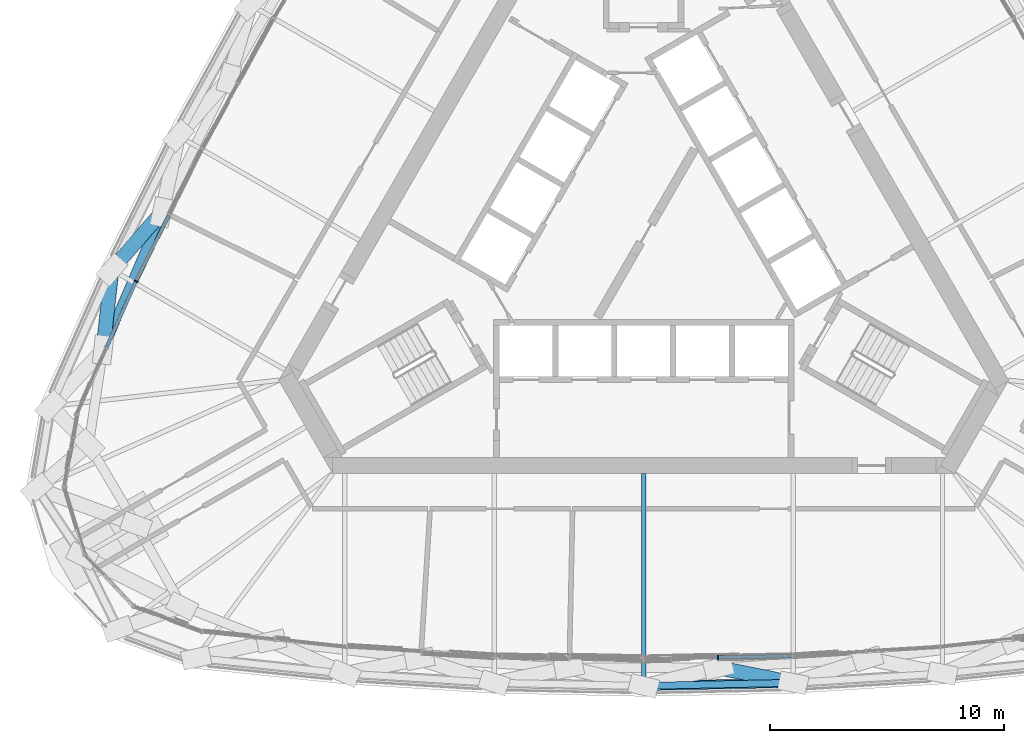
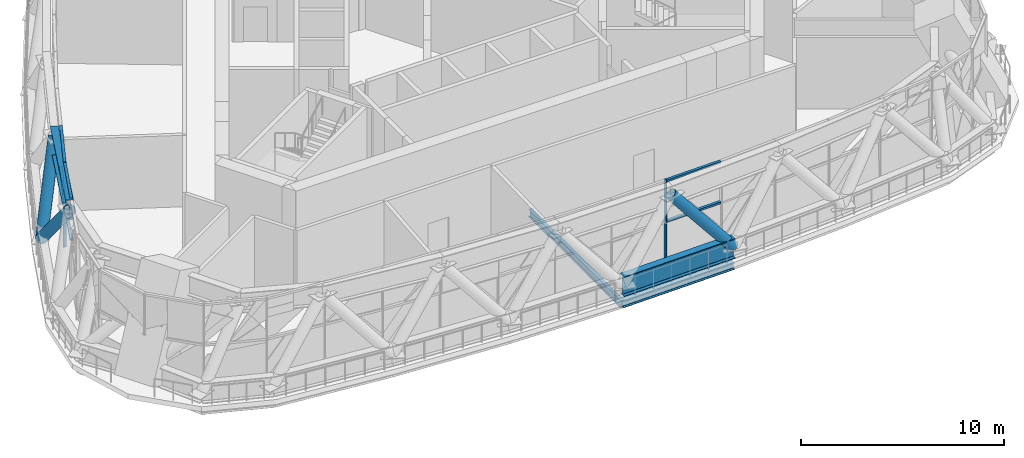
# One storey, part 3 of 33: 13 members, 2 beams, 2 elements without a shape of their own.
"""IFC4 building model written with IfcOpenShell, lengths in metres."""

from ifc_helpers import new_model, si_unit, direction, frame, origin, origin_2d, place, context, subcontext, project, spatial, rectangle, hollow_circle, i_section, extrude, material, material_profile, profile_set, type_object, element, aggregate, save


model = new_model("IFC4")

# Units and contexts
model_context = context("Model", 3, precision=1e-05, world=origin(), true_north=direction((0.0, 1.0)))
body_context = subcontext(model_context, "Body", "Model", "MODEL_VIEW")
ifc_project = project(units=[si_unit("LENGTHUNIT", "METRE"), si_unit("AREAUNIT", "SQUARE_METRE"), si_unit("VOLUMEUNIT", "CUBIC_METRE"), si_unit("PLANEANGLEUNIT", "RADIAN"), si_unit("MASSUNIT", "GRAM", prefix="KILO")], contexts=[model_context])

# Site, building, storey
site_placement = place(None, origin())
site = spatial("IfcSite", under=ifc_project, at=site_placement, CompositionType="ELEMENT")
building_placement = place(site_placement, origin())
building = spatial("IfcBuilding", under=site, at=building_placement, Name="Mestral Congress Tower", CompositionType="ELEMENT")
storey_placement = place(building_placement, frame((0.0, 0.0, 256.199951171875)))
storey = spatial("IfcBuildingStorey", under=building, at=storey_placement, Name="L60", CompositionType="ELEMENT", Elevation=256.199951171875)

# Members
ifc_material_1 = material(Name="Steel S355", Category="steel")
ifc_material_profile_1 = material_profile(ifc_material_1, i_section(OverallWidth=0.39990234375, OverallDepth=1.199951171875, WebThickness=0.02001953125, FlangeThickness=0.0400390625, FilletRadius=0.010009765625, at=origin_2d()), Name="WPG 1200")
ifc_profile_set_1 = profile_set([ifc_material_profile_1], Name="Steel S355")
member_type_1 = type_object("IfcMemberType", Name="Belt chord WPG 1200 S355", PredefinedType="CHORD", material=ifc_profile_set_1)
member_1_placement = place(storey_placement, frame((0.0, -19.4306640625, 0.60009765625), z_axis=(0.999784626203, 0.020753342109, 0.0), x_axis=(-0.020753342109, 0.999784626203, 0.0)))
element("IfcMember", 1, at=member_1_placement, inside=storey, type_object=member_type_1, Name="MB-L60-BC4-S03", PredefinedType="CHORD", context=body_context, shape_type="SweptSolid", body=[
    extrude(i_section(OverallWidth=0.39990234375, OverallDepth=1.199951171875, WebThickness=0.02001953125, FlangeThickness=0.0400390625, FilletRadius=0.010009765625, at=origin_2d()), origin(), (0.0, 0.0, 1.0), 6.399658203125),
])
member_2_placement = place(storey_placement, frame((-20.618896484375, 0.833984375, 4.5), z_axis=(-0.393362054292, -0.919383649106, 0.0), x_axis=(0.919383649106, -0.393362054292, 0.0)))
element("IfcMember", 2, at=member_2_placement, inside=storey, type_object=member_type_1, Name="MB-L60-TC4-W04", PredefinedType="CHORD", context=body_context, shape_type="SweptSolid", body=[
    extrude(i_section(OverallWidth=0.39990234375, OverallDepth=1.199951171875, WebThickness=0.02001953125, FlangeThickness=0.0400390625, FilletRadius=0.010009765625, at=origin_2d()), origin(), (0.0, 0.0, 1.0), 6.39892578125),
])
ifc_material_profile_2 = material_profile(ifc_material_1, hollow_circle(Radius=0.304931640625, WallThickness=0.02490234375, at=origin_2d()), Name="CHS 610x25")
ifc_profile_set_2 = profile_set([ifc_material_profile_2], Name="Steel S355")
member_type_2 = type_object("IfcMemberType", Name="Belt diagonal CHS 610x25 S355", PredefinedType="BRACE", material=ifc_profile_set_2)
member_3_placement = place(storey_placement, frame((6.398193359375, -19.2978515625, 0.60009765625), z_axis=(-0.629091176494, 0.1263752081, 0.766989959801), x_axis=(-0.196950698516, -0.980413393602, 0.0)))
element("IfcMember", 3, at=member_3_placement, inside=storey, type_object=member_type_2, Name="MD-L60-BD4-S04.S03", PredefinedType="BRACE", context=body_context, shape_type="SweptSolid", body=[
    extrude(hollow_circle(Radius=0.304931640625, WallThickness=0.02490234375, at=origin_2d()), origin(), (0.0, 0.0, 1.0), 5.084716796875),
])
member_4_placement = place(storey_placement, frame((-22.76025390625, -1.62255859375, 0.60009765625), z_axis=(0.421340530526, 0.483357475562, 0.767357614254), x_axis=(-0.753809837141, 0.657092633827, 0.0)))
element("IfcMember", 4, at=member_4_placement, inside=storey, type_object=member_type_2, Name="MD-L60-BD4-W05.W04", PredefinedType="BRACE", context=body_context, shape_type="SweptSolid", body=[
    extrude(hollow_circle(Radius=0.304931640625, WallThickness=0.02490234375, at=origin_2d()), origin(), (0.0, 0.0, 1.0), 5.082275390625),
])
member_5_placement = place(storey_placement, frame((-22.76025390625, -1.62255859375, 0.60009765625), z_axis=(-0.072187645133, -0.658319427837, 0.749269293927), x_axis=(0.994041631875, -0.109001073848, 0.0)))
element("IfcMember", 5, at=member_5_placement, inside=storey, type_object=member_type_2, Name="MD-L60-BD4-W05.W05", PredefinedType="BRACE", context=body_context, shape_type="SweptSolid", body=[
    extrude(hollow_circle(Radius=0.304931640625, WallThickness=0.02490234375, at=origin_2d()), origin(), (0.0, 0.0, 1.0), 5.204833984375),
])

# Curtain wall, member
ifc_material_2 = material(Name="Clear low-emissivity double glazing", Category="glass")
curtain_wall_type = type_object("IfcCurtainWallType", Name="Facade refuge band screen", PredefinedType="USERDEFINED", material=ifc_material_2)
placement = place(storey_placement, origin())
curtain_wall_1 = element("IfcCurtainWall", 6, at=placement, inside=storey, type_object=curtain_wall_type, Name="Facade refuge band screen face 1", ObjectType="CURTAIN WALL", PredefinedType="USERDEFINED")
ifc_material_3 = material(Name="Anodised aluminium", Category="aluminium")
ifc_material_profile_3 = material_profile(ifc_material_3, rectangle(XDim=0.179931640625, YDim=0.06005859375, at=origin_2d()), Name="CW3 mullion 180 x 60")
ifc_profile_set_3 = profile_set([ifc_material_profile_3], Name="Anodised aluminium")
member_type_3 = type_object("IfcMemberType", Name="Facade refuge band screen mullion", PredefinedType="MULLION", material=ifc_profile_set_3)
member_6_placement = place(storey_placement, frame((3.17529296875, -18.214599609375, 0.0), z_axis=(0.0, 0.0, 1.0), x_axis=(0.020750475387, -0.999784685705, 0.0)))
member_6 = element("IfcMember", 7, at=member_6_placement, type_object=member_type_3, Name="Facade refuge band screen mullion", PredefinedType="MULLION", context=body_context, shape_type="SweptSolid", body=[
    extrude(rectangle(XDim=0.179931640625, YDim=0.06005859375, at=origin_2d()), origin(), (0.0, 0.0, 1.0), 5.10009765625),
])

curtain_wall_2 = element("IfcCurtainWall", 8, at=placement, inside=storey, type_object=curtain_wall_type, Name="Facade refuge band screen face 3", ObjectType="CURTAIN WALL", PredefinedType="USERDEFINED")
member_7_placement = place(storey_placement, frame((-21.719970703125, -2.113037109375, 0.0), z_axis=(0.0, 0.0, 1.0), x_axis=(-0.904500555005, 0.426472444591, 0.0)))
member_7 = element("IfcMember", 9, at=member_7_placement, type_object=member_type_3, Name="Facade refuge band screen mullion", PredefinedType="MULLION", context=body_context, shape_type="SweptSolid", body=[
    extrude(rectangle(XDim=0.179931640625, YDim=0.06005859375, at=origin_2d()), origin(), (0.0, 0.0, 1.0), 5.10009765625),
])

# Member
ifc_material_profile_4 = material_profile(ifc_material_3, rectangle(XDim=0.14990234375, YDim=0.1201171875, at=origin_2d()), Name="CW3 transom 150 x 120")
ifc_profile_set_4 = profile_set([ifc_material_profile_4], Name="Anodised aluminium")
member_type_4 = type_object("IfcMemberType", Name="Facade refuge band screen transom", PredefinedType="USERDEFINED", material=ifc_profile_set_4)
member_8_placement = place(storey_placement, frame((3.205078125, -18.2138671875, 2.60009765625), z_axis=(0.999784414303, 0.020763547789, 0.0), x_axis=(-0.020763547789, 0.999784414303, 0.0)))
member_8 = element("IfcMember", 10, at=member_8_placement, type_object=member_type_4, Name="Facade refuge band screen transom", ObjectType="TRANSOM", PredefinedType="USERDEFINED", context=body_context, shape_type="SweptSolid", body=[
    extrude(rectangle(XDim=0.14990234375, YDim=0.1201171875, at=origin_2d()), origin(), (0.0, 0.0, 1.0), 3.115966796875),
])

member_9_placement = place(storey_placement, frame((3.205078125, -18.2138671875, 5.0400390625), z_axis=(0.999784414303, 0.020763547789, 0.0), x_axis=(-0.020763547789, 0.999784414303, 0.0)))
member_9 = element("IfcMember", 11, at=member_9_placement, type_object=member_type_4, Name="Facade refuge band screen transom", ObjectType="TRANSOM", PredefinedType="USERDEFINED", context=body_context, shape_type="SweptSolid", body=[
    extrude(rectangle(XDim=0.14990234375, YDim=0.1201171875, at=origin_2d()), origin(), (0.0, 0.0, 1.0), 3.115966796875),
])

aggregate(curtain_wall_1, [member_6, member_8, member_9])

member_10_placement = place(storey_placement, frame((-20.319580078125, 0.703857421875, 2.60009765625), z_axis=(-0.445143785471, -0.895459105854, 0.0), x_axis=(0.895459105854, -0.445143785471, 0.0)))
member_10 = element("IfcMember", 12, at=member_10_placement, type_object=member_type_4, Name="Facade refuge band screen transom", ObjectType="TRANSOM", PredefinedType="USERDEFINED", context=body_context, shape_type="SweptSolid", body=[
    extrude(rectangle(XDim=0.14990234375, YDim=0.1201171875, at=origin_2d()), origin(), (0.0, 0.0, 1.0), 3.11572265625),
])

member_11_placement = place(storey_placement, frame((-20.319580078125, 0.703857421875, 5.0400390625), z_axis=(-0.445143785471, -0.895459105854, 0.0), x_axis=(0.895459105854, -0.445143785471, 0.0)))
member_11 = element("IfcMember", 13, at=member_11_placement, type_object=member_type_4, Name="Facade refuge band screen transom", ObjectType="TRANSOM", PredefinedType="USERDEFINED", context=body_context, shape_type="SweptSolid", body=[
    extrude(rectangle(XDim=0.14990234375, YDim=0.1201171875, at=origin_2d()), origin(), (0.0, 0.0, 1.0), 3.11572265625),
])

member_12_placement = place(storey_placement, frame((-21.732177734375, -2.140380859375, 2.60009765625), z_axis=(-0.407531856334, -0.913190991016, 0.0), x_axis=(0.913190991016, -0.407531856334, 0.0)))
member_12 = element("IfcMember", 14, at=member_12_placement, type_object=member_type_4, Name="Facade refuge band screen transom", ObjectType="TRANSOM", PredefinedType="USERDEFINED", context=body_context, shape_type="SweptSolid", body=[
    extrude(rectangle(XDim=0.14990234375, YDim=0.1201171875, at=origin_2d()), origin(), (0.0, 0.0, 1.0), 3.05517578125),
])

member_13_placement = place(storey_placement, frame((-21.732177734375, -2.140380859375, 5.0400390625), z_axis=(-0.407531856334, -0.913190991016, 0.0), x_axis=(0.913190991016, -0.407531856334, 0.0)))
member_13 = element("IfcMember", 15, at=member_13_placement, type_object=member_type_4, Name="Facade refuge band screen transom", ObjectType="TRANSOM", PredefinedType="USERDEFINED", context=body_context, shape_type="SweptSolid", body=[
    extrude(rectangle(XDim=0.14990234375, YDim=0.1201171875, at=origin_2d()), origin(), (0.0, 0.0, 1.0), 3.05517578125),
])

aggregate(curtain_wall_2, [member_7, member_10, member_11, member_12, member_13])

# Beams
ifc_material_profile_5 = material_profile(ifc_material_1, i_section(OverallWidth=0.18994140625, OverallDepth=0.449951171875, WebThickness=0.009521484375, FlangeThickness=0.0146484375, FilletRadius=0.02099609375, at=origin_2d()), Name="IPE 450")
ifc_profile_set_5 = profile_set([ifc_material_profile_5], Name="Steel S355")
beam_type_1 = type_object("IfcBeamType", Name="Floor beam IPE 450 S355", PredefinedType="BEAM", material=ifc_profile_set_5)
beam_1_placement = place(storey_placement, frame((0.0, -19.4306640625, -0.52490234375), z_axis=(0.0, 1.0, 0.0), x_axis=(-1.0, 0.0, 0.0)))
element("IfcBeam", 16, at=beam_1_placement, inside=storey, type_object=beam_type_1, Name="BM-L60-RB4-S03", PredefinedType="BEAM", context=body_context, shape_type="SweptSolid", body=[
    extrude(i_section(OverallWidth=0.18994140625, OverallDepth=0.449951171875, WebThickness=0.009521484375, FlangeThickness=0.0146484375, FilletRadius=0.02099609375, at=origin_2d()), origin(), (0.0, 0.0, 1.0), 9.08056640625),
])
ifc_material_profile_6 = material_profile(ifc_material_1, i_section(OverallWidth=0.300048828125, OverallDepth=0.389892578125, WebThickness=0.010986328125, FlangeThickness=0.01904296875, FilletRadius=0.027099609375, at=origin_2d()), Name="HEA 400")
ifc_profile_set_6 = profile_set([ifc_material_profile_6], Name="Steel S355")
beam_type_2 = type_object("IfcBeamType", Name="Spandrel beam HEA 400 S355", PredefinedType="BEAM", material=ifc_profile_set_6)
beam_2_placement = place(storey_placement, frame((0.0, -19.4306640625, -0.494873046875), z_axis=(0.999784626203, 0.020753342109, 0.0), x_axis=(-0.020753342109, 0.999784626203, 0.0)))
element("IfcBeam", 17, at=beam_2_placement, inside=storey, type_object=beam_type_2, Name="SP-L60-SB4-S03", PredefinedType="BEAM", context=body_context, shape_type="SweptSolid", body=[
    extrude(i_section(OverallWidth=0.300048828125, OverallDepth=0.389892578125, WebThickness=0.010986328125, FlangeThickness=0.01904296875, FilletRadius=0.027099609375, at=origin_2d()), origin(), (0.0, 0.0, 1.0), 6.399658203125),
])

save(model, "model.ifc")
